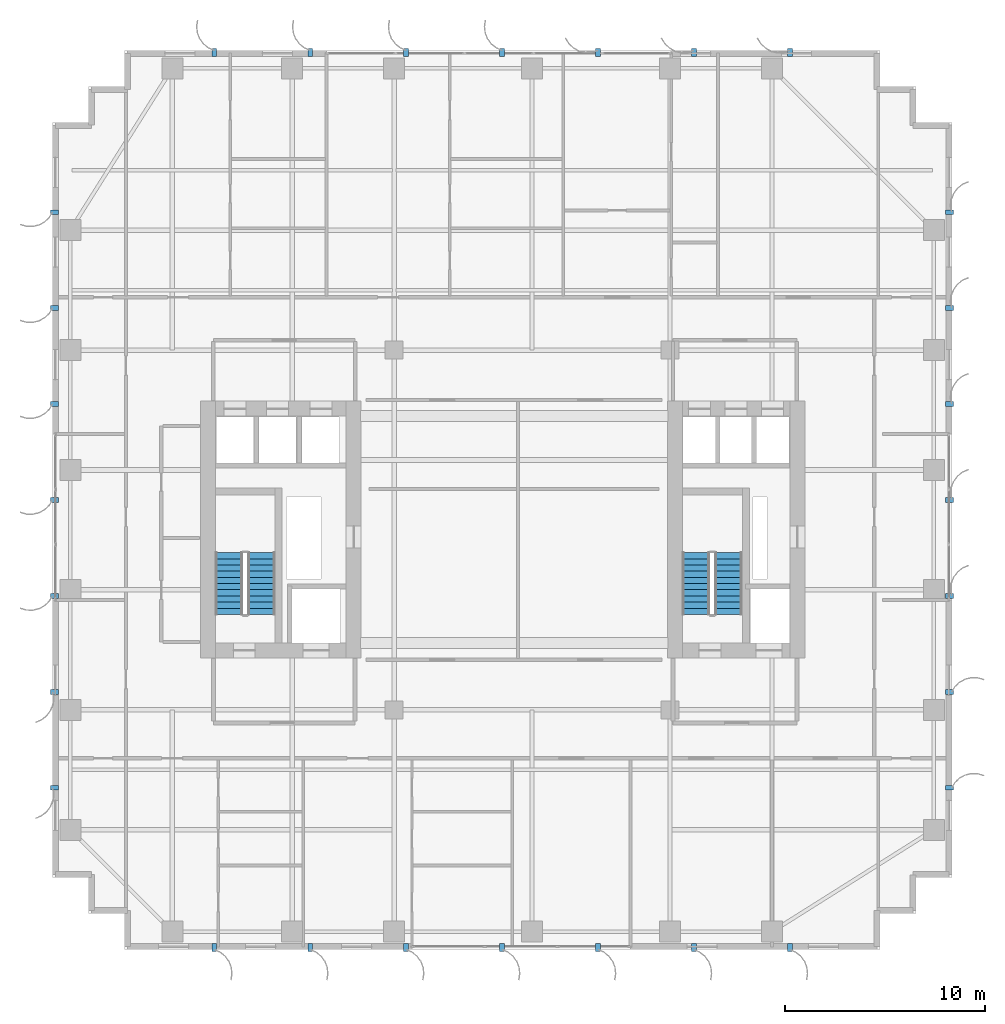
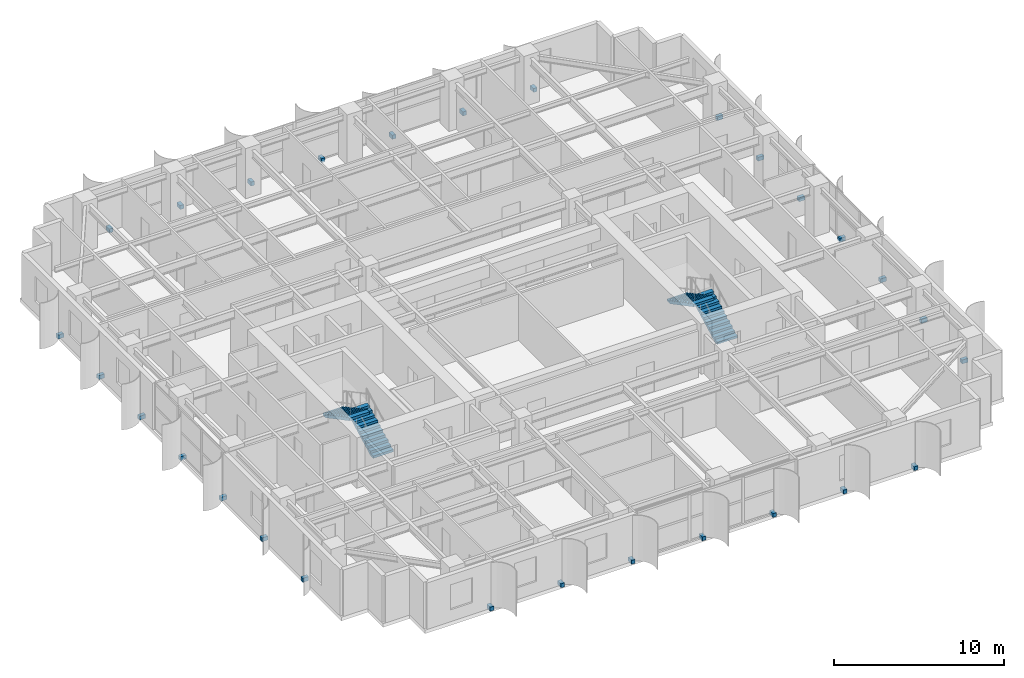
# One storey, part 18 of 21: 28 discrete accessories, 4 stair flights, 2 elements without a shape of their own.
"""IFC4 building model written with IfcOpenShell, lengths in metres."""

import ifcopenshell
import ifcopenshell.guid

model = None  # the IFC model being written
_history = None  # IfcOwnerHistory: only IFC2X3 demands one
_inside = {}  # id of a spatial element -> (the spatial element, [elements in it])
_under = {}  # id of a project, library or spatial element -> (it, [spatial elements below it])
_declared = {}  # id of a project -> (the project, [libraries it declares])
_typed = {}  # id of a type object -> (the type object, [elements of that type])
_made_of = {}  # id of a material, layer set ... -> (it, [elements and type objects made of it])


def new_model(schema):
    """Start an empty IFC model of exactly this schema.

    Asked for "IFC4X3", IfcOpenShell would pick the latest addendum, in which some entities
    have other attributes; the version numbers below select the first issue.
    IFC2X3 requires an IfcOwnerHistory on every rooted entity: one is made here for all.
    """
    global model, _history
    if schema == "IFC4X3":
        model = ifcopenshell.file(schema_version=(4, 3, 0, 0))
    else:
        model = ifcopenshell.file(schema=schema)
    _inside.clear()
    _under.clear()
    _declared.clear()
    _typed.clear()
    _made_of.clear()
    _history = None
    if model.schema == "IFC2X3":
        org = make("IfcOrganization", Name="unknown")
        user = make(
            "IfcPersonAndOrganization",
            ThePerson=make("IfcPerson", FamilyName="unknown"),
            TheOrganization=org,
        )
        app = make(
            "IfcApplication",
            ApplicationDeveloper=org,
            Version="unknown",
            ApplicationFullName="unknown",
            ApplicationIdentifier="unknown",
        )
        _history = make(
            "IfcOwnerHistory",
            OwningUser=user,
            OwningApplication=app,
            ChangeAction="ADDED",
            CreationDate=0,
        )
    return model


def make(cls, **values):
    """One entity of the class cls with the attributes given. An attribute that is None is left unset."""
    return model.create_entity(
        cls, **{name: value for name, value in values.items() if value is not None}
    )


def rooted(cls, **values):
    """An entity with a GlobalId (a new one), such as an element, a storey or a relation."""
    return make(cls, GlobalId=ifcopenshell.guid.new(), OwnerHistory=_history, **values)


def si_unit(unit_type, name, prefix=None):
    """IfcSIUnit, for example si_unit("LENGTHUNIT", "METRE", prefix="MILLI")."""
    return make("IfcSIUnit", UnitType=unit_type, Prefix=prefix, Name=name)


def assignment(units):
    """IfcUnitAssignment: the units of a project."""
    return None if units is None else make("IfcUnitAssignment", Units=units)


def point(xyz):
    """IfcCartesianPoint."""
    return None if xyz is None else make("IfcCartesianPoint", Coordinates=xyz)


def direction(xyz):
    """IfcDirection."""
    return None if xyz is None else make("IfcDirection", DirectionRatios=xyz)


def frame(location, z_axis=None, x_axis=None):
    """IfcAxis2Placement3D, a coordinate frame: its origin and axes. An axis left out is left unset."""
    return make(
        "IfcAxis2Placement3D",
        Location=point(location),
        Axis=direction(z_axis),
        RefDirection=direction(x_axis),
    )


def frame_2d(location, x_axis=None):
    """IfcAxis2Placement2D, a coordinate frame in the plane: its origin and x axis."""
    return make(
        "IfcAxis2Placement2D", Location=point(location), RefDirection=direction(x_axis)
    )


def origin():
    """The frame at (0, 0, 0) with its axes left unset."""
    return frame((0.0, 0.0, 0.0))


def origin_2d():
    """The frame at (0, 0) in the plane with its x axis left unset."""
    return frame_2d((0.0, 0.0))


def place(relative_to, where):
    """IfcLocalPlacement: puts the frame where relative to a parent placement (None: the world)."""
    return make(
        "IfcLocalPlacement", PlacementRelTo=relative_to, RelativePlacement=where
    )


def context(
    kind, dimensions, precision=None, world=None, true_north=None, identifier=None
):
    """IfcGeometricRepresentationContext, for example the 3D "Model" context."""
    return make(
        "IfcGeometricRepresentationContext",
        ContextIdentifier=identifier,
        ContextType=kind,
        CoordinateSpaceDimension=dimensions,
        Precision=precision,
        WorldCoordinateSystem=world,
        TrueNorth=true_north,
    )


def subcontext(parent, identifier, kind, view, scale=None):
    """IfcGeometricRepresentationSubContext, for example "Body" below "Model"."""
    return make(
        "IfcGeometricRepresentationSubContext",
        ContextIdentifier=identifier,
        ContextType=kind,
        ParentContext=parent,
        TargetScale=scale,
        TargetView=view,
    )


def project(units=None, contexts=None):
    """IfcProject with its units and contexts."""
    return rooted(
        "IfcProject",
        Name="project",
        RepresentationContexts=contexts,
        UnitsInContext=assignment(units),
    )


def spatial(cls, under=None, at=None, **own):
    """A site, building, storey or space (cls), placed at a placement, below another one or the project."""
    s = rooted(cls, ObjectPlacement=at, **own)
    if under is not None:
        _under.setdefault(under.id(), (under, []))[1].append(s)
    return s


def polyline(points):
    """IfcPolyline through the points."""
    return make("IfcPolyline", Points=[point(p) for p in points])


def profile(cls, at=None, kind="AREA", **sizes):
    """A parametric profile (cls). Its sizes go by their IFC names, for example OverallWidth=200.0."""
    return make(cls, ProfileType=kind, Position=at, **sizes)


def rectangle(**sizes):
    """IfcRectangleProfileDef."""
    return profile("IfcRectangleProfileDef", **sizes)


def outline(outer, holes=None, kind="AREA"):
    """IfcArbitraryClosedProfileDef: a profile drawn as a closed curve; with holes, ...WithVoids."""
    if holes is None:
        return make("IfcArbitraryClosedProfileDef", ProfileType=kind, OuterCurve=outer)
    return make(
        "IfcArbitraryProfileDefWithVoids",
        ProfileType=kind,
        OuterCurve=outer,
        InnerCurves=holes,
    )


def extrude(swept, where, along, depth):
    """IfcExtrudedAreaSolid: the profile swept, set in the frame where, extruded along a direction by depth."""
    return make(
        "IfcExtrudedAreaSolid",
        SweptArea=swept,
        Position=where,
        ExtrudedDirection=direction(along),
        Depth=depth,
    )


def shape(context_of_items, identifier, shape_type, items):
    """IfcShapeRepresentation: the items that make up one representation, for example the "Body"."""
    return make(
        "IfcShapeRepresentation",
        ContextOfItems=context_of_items,
        RepresentationIdentifier=identifier,
        RepresentationType=shape_type,
        Items=items,
    )


def source(mapping_origin, context_of_items, identifier, shape_type, items):
    """IfcRepresentationMap: a shape defined once, which mapped items show again and again."""
    return make(
        "IfcRepresentationMap",
        MappingOrigin=mapping_origin,
        MappedRepresentation=shape(context_of_items, identifier, shape_type, items),
    )


def transform(
    local_origin,
    x_axis=None,
    y_axis=None,
    z_axis=None,
    scale=None,
    scale2=None,
    scale3=None,
    uniform=True,
):
    """IfcCartesianTransformationOperator3D, or its non-uniform kind. x_axis, y_axis, z_axis: its Axis1, 2, 3."""
    if uniform:
        return make(
            "IfcCartesianTransformationOperator3D",
            Axis1=direction(x_axis),
            Axis2=direction(y_axis),
            LocalOrigin=point(local_origin),
            Scale=scale,
            Axis3=direction(z_axis),
        )
    return make(
        "IfcCartesianTransformationOperator3DnonUniform",
        Axis1=direction(x_axis),
        Axis2=direction(y_axis),
        LocalOrigin=point(local_origin),
        Scale=scale,
        Axis3=direction(z_axis),
        Scale2=scale2,
        Scale3=scale3,
    )


def mapped(mapping_source, mapping_target):
    """IfcMappedItem: shows the shape of a source again, moved by a transform."""
    return make(
        "IfcMappedItem", MappingSource=mapping_source, MappingTarget=mapping_target
    )


def material(Name=None, Category=None):
    """IfcMaterial."""
    return make("IfcMaterial", Name=Name, Category=Category)


def made_of(thing, what):
    """Note that an element or type object is made of a material, layer set ...; save() writes the relation."""
    if what is not None:
        _made_of.setdefault(what.id(), (what, []))[1].append(thing)
    return thing


def type_object(cls, material=None, **own):
    """A type object (cls), such as IfcWallType, which elements share."""
    return made_of(rooted(cls, **own), material)


def element(
    cls,
    number,
    at=None,
    inside=None,
    cuts=None,
    type_object=None,
    material=None,
    context=None,
    identifier="Body",
    shape_type=None,
    held_by="IfcProductDefinitionShape",
    body=None,
    shapes=None,
    **own,
):
    """One element of the class cls, such as IfcWall. Its Tag is "e" and its number.

    at: its placement. inside: the storey or other place that contains it. cuts: it is an
    opening in that element (IfcRelVoidsElement). A single representation is given by context,
    identifier, shape_type and body (its items); several are given by shapes. held_by: the class
    of the entity that holds the representations. save() writes the other relations.
    """
    e = rooted(cls, Tag="e%d" % number, ObjectPlacement=at, **own)
    if body is not None:
        shapes = [shape(context, identifier, shape_type, body)]
    if shapes is not None:
        e.Representation = make(held_by, Representations=shapes)
    if inside is not None:
        _inside.setdefault(inside.id(), (inside, []))[1].append(e)
    if cuts is not None:
        rooted(
            "IfcRelVoidsElement", RelatingBuildingElement=cuts, RelatedOpeningElement=e
        )
    if type_object is not None:
        _typed.setdefault(type_object.id(), (type_object, []))[1].append(e)
    return made_of(e, material)


def aggregate(whole, parts):
    """IfcRelAggregates: a whole, such as a stair, and the parts it consists of."""
    return rooted("IfcRelAggregates", RelatingObject=whole, RelatedObjects=parts)


def save(model, path):
    """Write the relations noted so far, then the file.

    IfcRelAggregates (storeys below a building ...), IfcRelContainedInSpatialStructure (elements
    in a storey), IfcRelDefinesByType, IfcRelAssociatesMaterial and IfcRelDeclares: one each for
    every whole, place, type object, material and project.
    """
    for whole, parts in _under.values():
        aggregate(whole, parts)
    for where, things in _inside.values():
        rooted(
            "IfcRelContainedInSpatialStructure",
            RelatedElements=things,
            RelatingStructure=where,
        )
    for kind, things in _typed.values():
        rooted("IfcRelDefinesByType", RelatedObjects=things, RelatingType=kind)
    for what, things in _made_of.values():
        rooted("IfcRelAssociatesMaterial", RelatedObjects=things, RelatingMaterial=what)
    for by, libraries in _declared.values():
        rooted("IfcRelDeclares", RelatingContext=by, RelatedDefinitions=libraries)
    model.write(path)


model = new_model("IFC4")

# Units and contexts
model_context = context("Model", 3, precision=1e-05, world=origin(), true_north=direction((0.0, 1.0)))
body_context = subcontext(model_context, "Body", "Model", "MODEL_VIEW")
ifc_project = project(units=[si_unit("LENGTHUNIT", "METRE"), si_unit("AREAUNIT", "SQUARE_METRE"), si_unit("VOLUMEUNIT", "CUBIC_METRE"), si_unit("PLANEANGLEUNIT", "RADIAN"), si_unit("MASSUNIT", "GRAM", prefix="KILO")], contexts=[model_context])

# Site, building, storey
site_placement = place(None, origin())
site = spatial("IfcSite", under=ifc_project, at=site_placement, CompositionType="ELEMENT")
building_placement = place(site_placement, origin())
building = spatial("IfcBuilding", under=site, at=building_placement, Name="Khoralis Quay Care Tower", CompositionType="ELEMENT")
storey_placement = place(building_placement, frame((0.0, 0.0, 112.5)))
storey = spatial("IfcBuildingStorey", under=building, at=storey_placement, Name="L29", CompositionType="ELEMENT", Elevation=112.5)

# Stair, stair flights
ifc_material_1 = material(Name="Precast concrete C45/55", Category="concrete")
stair_type = type_object("IfcStairType", Name="ST-TWR-DOGLEG-1400", PredefinedType="HALF_TURN_STAIR", material=ifc_material_1)
stair_1_placement = place(storey_placement, origin())
stair_1 = element("IfcStair", 1, at=stair_1_placement, inside=storey, type_object=stair_type, Name="L29 West Core Exit Stair ST-T1", PredefinedType="HALF_TURN_STAIR")
stair_flight_type = type_object("IfcStairFlightType", Name="SF-TWR-1400", PredefinedType="STRAIGHT", material=ifc_material_1)
shared_shape_1 = source(origin(), body_context, "Body", "SweptSolid", [
    extrude(outline(polyline([(0.0, 0.0), (0.0, 0.16357421875), (0.31005859375, 0.16357421875), (0.31005859375, 0.327392578125), (0.6201171875, 0.327392578125), (0.6201171875, 0.490966796875), (0.929931640625, 0.490966796875), (0.929931640625, 0.654541015625), (1.239990234375, 0.654541015625), (1.239990234375, 0.818115234375), (1.550048828125, 0.818115234375), (1.550048828125, 0.98193359375), (1.860107421875, 0.98193359375), (1.860107421875, 1.1455078125), (2.169921875, 1.1455078125), (2.169921875, 1.30908203125), (2.47998046875, 1.30908203125), (2.47998046875, 1.47265625), (2.7900390625, 1.47265625), (2.7900390625, 1.636474609375), (3.10009765625, 1.636474609375), (3.10009765625, 1.800048828125), (3.10009765625, 1.466796875), (0.321044921875, 0.0), (0.0, 0.0)])), frame((0.0, 0.68994140625, 0.0), z_axis=(0.0, -1.0, 0.0), x_axis=(1.0, 0.0, 0.0)), (0.0, 0.0, 1.0), 1.3798828125),
])
stair_flight_1_placement = place(storey_placement, frame((10.4599609375, 16.77001953125, 0.0), z_axis=(0.0, 0.0, 1.0), x_axis=(0.0, 1.0, 0.0)))
stair_flight_1 = element("IfcStairFlight", 2, at=stair_flight_1_placement, type_object=stair_flight_type, Name="ST-T1 flight 1", NumberOfRisers=11, NumberOfTreads=10, PredefinedType="STRAIGHT", RiserHeight=0.163636364, TreadLength=0.31, context=body_context, shape_type="MappedRepresentation", body=[
    mapped(shared_shape_1, transform((0.0, 0.0, 0.0), scale=1.0)),
])
stair_flight_2_placement = place(storey_placement, frame((8.840087890625, 19.8701171875, 1.800048828125), z_axis=(0.0, 0.0, 1.0), x_axis=(0.0, -1.0, 0.0)))
stair_flight_2 = element("IfcStairFlight", 3, at=stair_flight_2_placement, type_object=stair_flight_type, Name="ST-T1 flight 2", NumberOfRisers=11, NumberOfTreads=10, PredefinedType="STRAIGHT", RiserHeight=0.163636364, TreadLength=0.31, context=body_context, shape_type="MappedRepresentation", body=[
    mapped(shared_shape_1, transform((0.0, 0.0, 0.0), scale=1.0)),
])
aggregate(stair_1, [stair_flight_1, stair_flight_2])

stair_2_placement = place(storey_placement, origin())
stair_2 = element("IfcStair", 4, at=stair_2_placement, inside=storey, type_object=stair_type, Name="L29 East Core Exit Stair ST-T2", PredefinedType="HALF_TURN_STAIR")
stair_flight_3_placement = place(storey_placement, frame((33.830078125, 16.77001953125, 0.0), z_axis=(0.0, 0.0, 1.0), x_axis=(0.0, 1.0, 0.0)))
stair_flight_3 = element("IfcStairFlight", 5, at=stair_flight_3_placement, type_object=stair_flight_type, Name="ST-T2 flight 1", NumberOfRisers=11, NumberOfTreads=10, PredefinedType="STRAIGHT", RiserHeight=0.163636364, TreadLength=0.31, context=body_context, shape_type="MappedRepresentation", body=[
    mapped(shared_shape_1, transform((0.0, 0.0, 0.0), scale=1.0)),
])
stair_flight_4_placement = place(storey_placement, frame((32.2099609375, 19.8701171875, 1.800048828125), z_axis=(0.0, 0.0, 1.0), x_axis=(0.0, -1.0, 0.0)))
stair_flight_4 = element("IfcStairFlight", 6, at=stair_flight_4_placement, type_object=stair_flight_type, Name="ST-T2 flight 2", NumberOfRisers=11, NumberOfTreads=10, PredefinedType="STRAIGHT", RiserHeight=0.163636364, TreadLength=0.31, context=body_context, shape_type="MappedRepresentation", body=[
    mapped(shared_shape_1, transform((0.0, 0.0, 0.0), scale=1.0)),
])
aggregate(stair_2, [stair_flight_3, stair_flight_4])

# Discrete accessories
ifc_material_2 = material(Name="Brushed stainless steel", Category="steel")
discrete_accessory_type = type_object("IfcDiscreteAccessoryType", Name="ACC-FIN-BRACKET", PredefinedType="BRACKET", material=ifc_material_2)
shared_shape_2 = source(origin(), body_context, "Body", "SweptSolid", [
    extrude(rectangle(XDim=0.39990234375, YDim=0.239990234375, at=origin_2d()), origin(), (0.0, 0.0, 1.0), 0.280029296875),
])
for number, where, z_axis, x_axis, name in (
    (7, (8.10009765625, 0.110107421875, -0.1201171875), (0.0, 0.0, 1.0), (0.0, -1.0, 0.0), "L29 Solar Fin Bracket P1E0-01"),
    (8, (12.89990234375, 0.110107421875, -0.1201171875), (0.0, 0.0, 1.0), (0.0, -1.0, 0.0), "L29 Solar Fin Bracket P1E0-02"),
    (9, (17.699951171875, 0.110107421875, -0.1201171875), (0.0, 0.0, 1.0), (0.0, -1.0, 0.0), "L29 Solar Fin Bracket P1E0-03"),
    (10, (22.5, 0.110107421875, -0.1201171875), (0.0, 0.0, 1.0), (0.0, -1.0, 0.0), "L29 Solar Fin Bracket P1E0-04"),
    (11, (27.300048828125, 0.110107421875, -0.1201171875), (0.0, 0.0, 1.0), (0.0, -1.0, 0.0), "L29 Solar Fin Bracket P1E0-05"),
    (12, (32.10009765625, 0.110107421875, -0.1201171875), (0.0, 0.0, 1.0), (0.0, -1.0, 0.0), "L29 Solar Fin Bracket P1E0-06"),
    (13, (36.89990234375, 0.110107421875, -0.1201171875), (0.0, 0.0, 1.0), (0.0, -1.0, 0.0), "L29 Solar Fin Bracket P1E0-07"),
    (14, (44.889892578125, 8.10009765625, -0.1201171875), (0.0, 0.0, 1.0), (1.0, 0.0, 0.0), "L29 Solar Fin Bracket P1E5-01"),
    (15, (44.889892578125, 12.89990234375, -0.1201171875), (0.0, 0.0, 1.0), (1.0, 0.0, 0.0), "L29 Solar Fin Bracket P1E5-02"),
    (16, (44.889892578125, 17.699951171875, -0.1201171875), (0.0, 0.0, 1.0), (1.0, 0.0, 0.0), "L29 Solar Fin Bracket P1E5-03"),
    (17, (44.889892578125, 22.5, -0.1201171875), (0.0, 0.0, 1.0), (1.0, 0.0, 0.0), "L29 Solar Fin Bracket P1E5-04"),
    (18, (44.889892578125, 27.300048828125, -0.1201171875), (0.0, 0.0, 1.0), (1.0, 0.0, 0.0), "L29 Solar Fin Bracket P1E5-05"),
    (19, (44.889892578125, 32.10009765625, -0.1201171875), (0.0, 0.0, 1.0), (1.0, 0.0, 0.0), "L29 Solar Fin Bracket P1E5-06"),
    (20, (44.889892578125, 36.89990234375, -0.1201171875), (0.0, 0.0, 1.0), (1.0, 0.0, 0.0), "L29 Solar Fin Bracket P1E5-07"),
    (21, (36.89990234375, 44.889892578125, -0.1201171875), (0.0, 0.0, 1.0), (0.0, 1.0, 0.0), "L29 Solar Fin Bracket P1E10-01"),
    (22, (32.10009765625, 44.889892578125, -0.1201171875), (0.0, 0.0, 1.0), (0.0, 1.0, 0.0), "L29 Solar Fin Bracket P1E10-02"),
    (23, (27.300048828125, 44.889892578125, -0.1201171875), (0.0, 0.0, 1.0), (0.0, 1.0, 0.0), "L29 Solar Fin Bracket P1E10-03"),
    (24, (22.5, 44.889892578125, -0.1201171875), (0.0, 0.0, 1.0), (0.0, 1.0, 0.0), "L29 Solar Fin Bracket P1E10-04"),
    (25, (17.699951171875, 44.889892578125, -0.1201171875), (0.0, 0.0, 1.0), (0.0, 1.0, 0.0), "L29 Solar Fin Bracket P1E10-05"),
    (26, (12.89990234375, 44.889892578125, -0.1201171875), (0.0, 0.0, 1.0), (0.0, 1.0, 0.0), "L29 Solar Fin Bracket P1E10-06"),
    (27, (8.10009765625, 44.889892578125, -0.1201171875), (0.0, 0.0, 1.0), (0.0, 1.0, 0.0), "L29 Solar Fin Bracket P1E10-07"),
    (28, (0.110107421875, 36.89990234375, -0.1201171875), (0.0, 0.0, 1.0), (-1.0, 0.0, 0.0), "L29 Solar Fin Bracket P1E15-01"),
    (29, (0.110107421875, 32.10009765625, -0.1201171875), (0.0, 0.0, 1.0), (-1.0, 0.0, 0.0), "L29 Solar Fin Bracket P1E15-02"),
    (30, (0.110107421875, 27.300048828125, -0.1201171875), (0.0, 0.0, 1.0), (-1.0, 0.0, 0.0), "L29 Solar Fin Bracket P1E15-03"),
    (31, (0.110107421875, 22.5, -0.1201171875), (0.0, 0.0, 1.0), (-1.0, 0.0, 0.0), "L29 Solar Fin Bracket P1E15-04"),
    (32, (0.110107421875, 17.699951171875, -0.1201171875), (0.0, 0.0, 1.0), (-1.0, 0.0, 0.0), "L29 Solar Fin Bracket P1E15-05"),
    (33, (0.110107421875, 12.89990234375, -0.1201171875), (0.0, 0.0, 1.0), (-1.0, 0.0, 0.0), "L29 Solar Fin Bracket P1E15-06"),
    (34, (0.110107421875, 8.10009765625, -0.1201171875), (0.0, 0.0, 1.0), (-1.0, 0.0, 0.0), "L29 Solar Fin Bracket P1E15-07"),
):
    element("IfcDiscreteAccessory", number, at=place(storey_placement, frame(where, z_axis=z_axis, x_axis=x_axis)), inside=storey, type_object=discrete_accessory_type, Name=name, PredefinedType="BRACKET", context=body_context, shape_type="MappedRepresentation", body=[
        mapped(shared_shape_2, transform((0.0, 0.0, 0.0), scale=1.0)),
    ])

save(model, "model.ifc")
